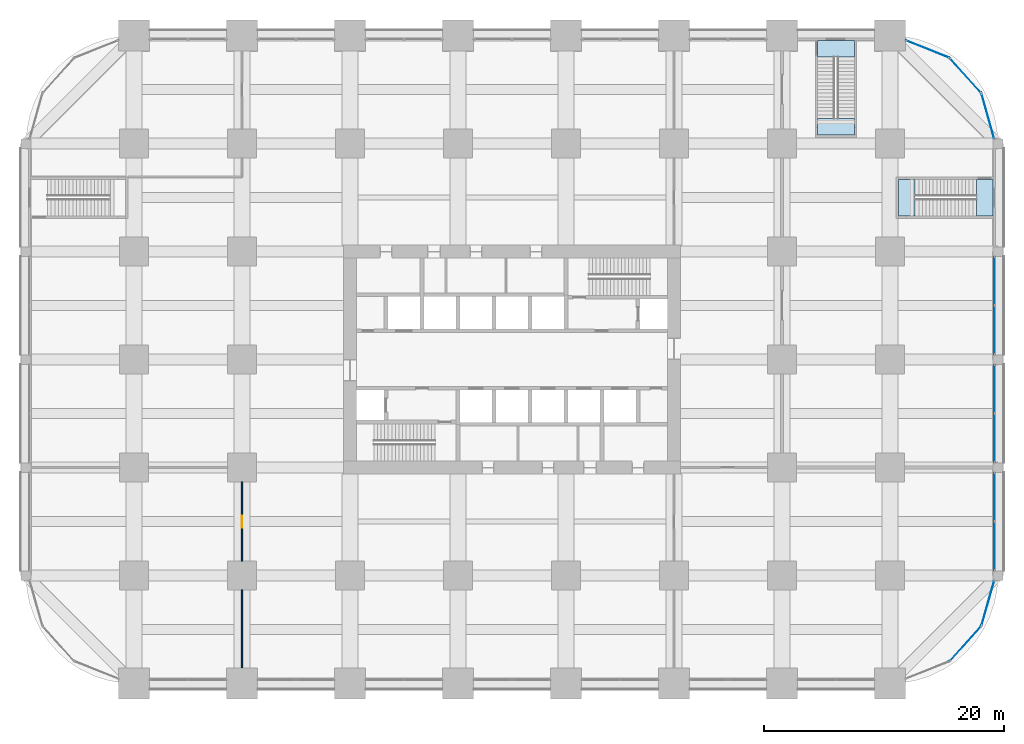
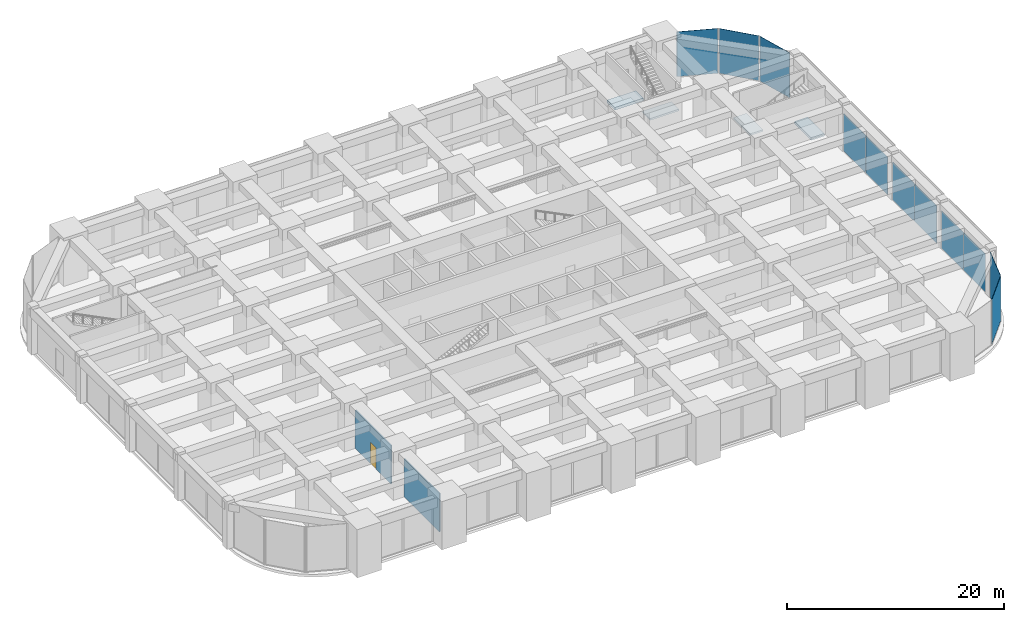
# One storey, part 41 of 45: 11 plates, 4 slabs, 2 walls, 1 door, 1 opening, 10 elements without a shape of their own.
"""IFC4 building model written with IfcOpenShell, lengths in metres."""

import ifcopenshell
import ifcopenshell.guid

model = None  # the IFC model being written
_history = None  # IfcOwnerHistory: only IFC2X3 demands one
_inside = {}  # id of a spatial element -> (the spatial element, [elements in it])
_under = {}  # id of a project, library or spatial element -> (it, [spatial elements below it])
_declared = {}  # id of a project -> (the project, [libraries it declares])
_typed = {}  # id of a type object -> (the type object, [elements of that type])
_made_of = {}  # id of a material, layer set ... -> (it, [elements and type objects made of it])


def new_model(schema):
    """Start an empty IFC model of exactly this schema.

    Asked for "IFC4X3", IfcOpenShell would pick the latest addendum, in which some entities
    have other attributes; the version numbers below select the first issue.
    IFC2X3 requires an IfcOwnerHistory on every rooted entity: one is made here for all.
    """
    global model, _history
    if schema == "IFC4X3":
        model = ifcopenshell.file(schema_version=(4, 3, 0, 0))
    else:
        model = ifcopenshell.file(schema=schema)
    _inside.clear()
    _under.clear()
    _declared.clear()
    _typed.clear()
    _made_of.clear()
    _history = None
    if model.schema == "IFC2X3":
        org = make("IfcOrganization", Name="unknown")
        user = make(
            "IfcPersonAndOrganization",
            ThePerson=make("IfcPerson", FamilyName="unknown"),
            TheOrganization=org,
        )
        app = make(
            "IfcApplication",
            ApplicationDeveloper=org,
            Version="unknown",
            ApplicationFullName="unknown",
            ApplicationIdentifier="unknown",
        )
        _history = make(
            "IfcOwnerHistory",
            OwningUser=user,
            OwningApplication=app,
            ChangeAction="ADDED",
            CreationDate=0,
        )
    return model


def make(cls, **values):
    """One entity of the class cls with the attributes given. An attribute that is None is left unset."""
    return model.create_entity(
        cls, **{name: value for name, value in values.items() if value is not None}
    )


def rooted(cls, **values):
    """An entity with a GlobalId (a new one), such as an element, a storey or a relation."""
    return make(cls, GlobalId=ifcopenshell.guid.new(), OwnerHistory=_history, **values)


def si_unit(unit_type, name, prefix=None):
    """IfcSIUnit, for example si_unit("LENGTHUNIT", "METRE", prefix="MILLI")."""
    return make("IfcSIUnit", UnitType=unit_type, Prefix=prefix, Name=name)


def assignment(units):
    """IfcUnitAssignment: the units of a project."""
    return None if units is None else make("IfcUnitAssignment", Units=units)


def point(xyz):
    """IfcCartesianPoint."""
    return None if xyz is None else make("IfcCartesianPoint", Coordinates=xyz)


def direction(xyz):
    """IfcDirection."""
    return None if xyz is None else make("IfcDirection", DirectionRatios=xyz)


def frame(location, z_axis=None, x_axis=None):
    """IfcAxis2Placement3D, a coordinate frame: its origin and axes. An axis left out is left unset."""
    return make(
        "IfcAxis2Placement3D",
        Location=point(location),
        Axis=direction(z_axis),
        RefDirection=direction(x_axis),
    )


def frame_2d(location, x_axis=None):
    """IfcAxis2Placement2D, a coordinate frame in the plane: its origin and x axis."""
    return make(
        "IfcAxis2Placement2D", Location=point(location), RefDirection=direction(x_axis)
    )


def origin():
    """The frame at (0, 0, 0) with its axes left unset."""
    return frame((0.0, 0.0, 0.0))


def origin_2d():
    """The frame at (0, 0) in the plane with its x axis left unset."""
    return frame_2d((0.0, 0.0))


def place(relative_to, where):
    """IfcLocalPlacement: puts the frame where relative to a parent placement (None: the world)."""
    return make(
        "IfcLocalPlacement", PlacementRelTo=relative_to, RelativePlacement=where
    )


def context(
    kind, dimensions, precision=None, world=None, true_north=None, identifier=None
):
    """IfcGeometricRepresentationContext, for example the 3D "Model" context."""
    return make(
        "IfcGeometricRepresentationContext",
        ContextIdentifier=identifier,
        ContextType=kind,
        CoordinateSpaceDimension=dimensions,
        Precision=precision,
        WorldCoordinateSystem=world,
        TrueNorth=true_north,
    )


def subcontext(parent, identifier, kind, view, scale=None):
    """IfcGeometricRepresentationSubContext, for example "Body" below "Model"."""
    return make(
        "IfcGeometricRepresentationSubContext",
        ContextIdentifier=identifier,
        ContextType=kind,
        ParentContext=parent,
        TargetScale=scale,
        TargetView=view,
    )


def project(units=None, contexts=None):
    """IfcProject with its units and contexts."""
    return rooted(
        "IfcProject",
        Name="project",
        RepresentationContexts=contexts,
        UnitsInContext=assignment(units),
    )


def spatial(cls, under=None, at=None, **own):
    """A site, building, storey or space (cls), placed at a placement, below another one or the project."""
    s = rooted(cls, ObjectPlacement=at, **own)
    if under is not None:
        _under.setdefault(under.id(), (under, []))[1].append(s)
    return s


def polyline(points):
    """IfcPolyline through the points."""
    return make("IfcPolyline", Points=[point(p) for p in points])


def profile(cls, at=None, kind="AREA", **sizes):
    """A parametric profile (cls). Its sizes go by their IFC names, for example OverallWidth=200.0."""
    return make(cls, ProfileType=kind, Position=at, **sizes)


def rectangle(**sizes):
    """IfcRectangleProfileDef."""
    return profile("IfcRectangleProfileDef", **sizes)


def outline(outer, holes=None, kind="AREA"):
    """IfcArbitraryClosedProfileDef: a profile drawn as a closed curve; with holes, ...WithVoids."""
    if holes is None:
        return make("IfcArbitraryClosedProfileDef", ProfileType=kind, OuterCurve=outer)
    return make(
        "IfcArbitraryProfileDefWithVoids",
        ProfileType=kind,
        OuterCurve=outer,
        InnerCurves=holes,
    )


def extrude(swept, where, along, depth):
    """IfcExtrudedAreaSolid: the profile swept, set in the frame where, extruded along a direction by depth."""
    return make(
        "IfcExtrudedAreaSolid",
        SweptArea=swept,
        Position=where,
        ExtrudedDirection=direction(along),
        Depth=depth,
    )


def shape(context_of_items, identifier, shape_type, items):
    """IfcShapeRepresentation: the items that make up one representation, for example the "Body"."""
    return make(
        "IfcShapeRepresentation",
        ContextOfItems=context_of_items,
        RepresentationIdentifier=identifier,
        RepresentationType=shape_type,
        Items=items,
    )


def material(Name=None, Category=None):
    """IfcMaterial."""
    return make("IfcMaterial", Name=Name, Category=Category)


def layer(
    of_material, thickness, ventilated=None, Name=None, Category=None, Priority=None
):
    """IfcMaterialLayer: one layer of a wall or slab, of a material (None: an air gap)."""
    return make(
        "IfcMaterialLayer",
        Material=of_material,
        LayerThickness=thickness,
        IsVentilated=ventilated,
        Name=Name,
        Category=Category,
        Priority=Priority,
    )


def layer_set(layers, Name=None):
    """IfcMaterialLayerSet."""
    return make("IfcMaterialLayerSet", MaterialLayers=layers, LayerSetName=Name)


def made_of(thing, what):
    """Note that an element or type object is made of a material, layer set ...; save() writes the relation."""
    if what is not None:
        _made_of.setdefault(what.id(), (what, []))[1].append(thing)
    return thing


def type_object(cls, material=None, **own):
    """A type object (cls), such as IfcWallType, which elements share."""
    return made_of(rooted(cls, **own), material)


def element(
    cls,
    number,
    at=None,
    inside=None,
    cuts=None,
    type_object=None,
    material=None,
    context=None,
    identifier="Body",
    shape_type=None,
    held_by="IfcProductDefinitionShape",
    body=None,
    shapes=None,
    **own,
):
    """One element of the class cls, such as IfcWall. Its Tag is "e" and its number.

    at: its placement. inside: the storey or other place that contains it. cuts: it is an
    opening in that element (IfcRelVoidsElement). A single representation is given by context,
    identifier, shape_type and body (its items); several are given by shapes. held_by: the class
    of the entity that holds the representations. save() writes the other relations.
    """
    e = rooted(cls, Tag="e%d" % number, ObjectPlacement=at, **own)
    if body is not None:
        shapes = [shape(context, identifier, shape_type, body)]
    if shapes is not None:
        e.Representation = make(held_by, Representations=shapes)
    if inside is not None:
        _inside.setdefault(inside.id(), (inside, []))[1].append(e)
    if cuts is not None:
        rooted(
            "IfcRelVoidsElement", RelatingBuildingElement=cuts, RelatedOpeningElement=e
        )
    if type_object is not None:
        _typed.setdefault(type_object.id(), (type_object, []))[1].append(e)
    return made_of(e, material)


def fill(opening, filler):
    """IfcRelFillsElement: the door or window that sits in an opening."""
    return rooted(
        "IfcRelFillsElement",
        RelatingOpeningElement=opening,
        RelatedBuildingElement=filler,
    )


def aggregate(whole, parts):
    """IfcRelAggregates: a whole, such as a stair, and the parts it consists of."""
    return rooted("IfcRelAggregates", RelatingObject=whole, RelatedObjects=parts)


def save(model, path):
    """Write the relations noted so far, then the file.

    IfcRelAggregates (storeys below a building ...), IfcRelContainedInSpatialStructure (elements
    in a storey), IfcRelDefinesByType, IfcRelAssociatesMaterial and IfcRelDeclares: one each for
    every whole, place, type object, material and project.
    """
    for whole, parts in _under.values():
        aggregate(whole, parts)
    for where, things in _inside.values():
        rooted(
            "IfcRelContainedInSpatialStructure",
            RelatedElements=things,
            RelatingStructure=where,
        )
    for kind, things in _typed.values():
        rooted("IfcRelDefinesByType", RelatedObjects=things, RelatingType=kind)
    for what, things in _made_of.values():
        rooted("IfcRelAssociatesMaterial", RelatedObjects=things, RelatingMaterial=what)
    for by, libraries in _declared.values():
        rooted("IfcRelDeclares", RelatingContext=by, RelatedDefinitions=libraries)
    model.write(path)


model = new_model("IFC4")

# Units and contexts
model_context = context("Model", 3, precision=1e-05, world=origin(), true_north=direction((0.0, 1.0)))
body_context = subcontext(model_context, "Body", "Model", "MODEL_VIEW")
ifc_project = project(units=[si_unit("LENGTHUNIT", "METRE"), si_unit("AREAUNIT", "SQUARE_METRE"), si_unit("VOLUMEUNIT", "CUBIC_METRE"), si_unit("PLANEANGLEUNIT", "RADIAN"), si_unit("MASSUNIT", "GRAM", prefix="KILO")], contexts=[model_context])

# Site, building, storey
site_placement = place(None, origin())
site = spatial("IfcSite", under=ifc_project, at=site_placement, CompositionType="ELEMENT")
building_placement = place(site_placement, origin())
building = spatial("IfcBuilding", under=site, at=building_placement, Name="Zorevar Civic Tower", CompositionType="ELEMENT")
storey_placement = place(building_placement, frame((0.0, 0.0, 5.39990234375)))
storey = spatial("IfcBuildingStorey", under=building, at=storey_placement, Name="L01", CompositionType="ELEMENT", Elevation=5.39990234375)

# Curtain wall, plates
ifc_material_1 = material(Name="Dark grey solar-control glass in black aluminium frame", Category="aluminium")
curtain_wall_type = type_object("IfcCurtainWallType", Name="Curtain wall CW1 podium", PredefinedType="NOTDEFINED", material=ifc_material_1)
curtain_wall_1_placement = place(storey_placement, origin())
curtain_wall_1 = element("IfcCurtainWall", 1, at=curtain_wall_1_placement, inside=storey, type_object=curtain_wall_type, Name="CW1 L01", PredefinedType="NOTDEFINED")
ifc_material_2 = material(Name="Dark grey solar-control glass", Category="glass")
ifc_layer_1 = layer(ifc_material_2, 0.033935546875)
ifc_layer_set_1 = layer_set([ifc_layer_1], Name="CW1 panel 34")
plate_type = type_object("IfcPlateType", Name="CW1 panel 34", PredefinedType="CURTAIN_PANEL", material=ifc_layer_set_1)
plate_1_placement = place(storey_placement, frame((71.699951171875, 11.465087890625, 0.06005859375), z_axis=(0.0, 0.0, 1.0), x_axis=(0.0, 1.0, 0.0)))
plate_1 = element("IfcPlate", 2, at=plate_1_placement, type_object=plate_type, Name="CW1 panel 1.1", PredefinedType="CURTAIN_PANEL", context=body_context, shape_type="SweptSolid", body=[
    extrude(rectangle(XDim=4.010009765625, YDim=0.033935546875, at=origin_2d()), origin(), (0.0, 0.0, 1.0), 4.239990234375),
])
plate_2_placement = place(storey_placement, frame((71.699951171875, 15.534912109375, 0.06005859375), z_axis=(0.0, 0.0, 1.0), x_axis=(0.0, 1.0, 0.0)))
plate_2 = element("IfcPlate", 3, at=plate_2_placement, type_object=plate_type, Name="CW1 panel 2.1", PredefinedType="CURTAIN_PANEL", context=body_context, shape_type="SweptSolid", body=[
    extrude(rectangle(XDim=4.010009765625, YDim=0.033935546875, at=origin_2d()), origin(), (0.0, 0.0, 1.0), 4.239990234375),
])
aggregate(curtain_wall_1, [plate_1, plate_2])

curtain_wall_2_placement = place(storey_placement, origin())
curtain_wall_2 = element("IfcCurtainWall", 4, at=curtain_wall_2_placement, inside=storey, type_object=curtain_wall_type, Name="CW1 L01", PredefinedType="NOTDEFINED")
plate_3_placement = place(storey_placement, frame((71.699951171875, 20.465087890625, 0.06005859375), z_axis=(0.0, 0.0, 1.0), x_axis=(0.0, 1.0, 0.0)))
plate_3 = element("IfcPlate", 5, at=plate_3_placement, type_object=plate_type, Name="CW1 panel 1.1", PredefinedType="CURTAIN_PANEL", context=body_context, shape_type="SweptSolid", body=[
    extrude(rectangle(XDim=4.010009765625, YDim=0.033935546875, at=origin_2d()), origin(), (0.0, 0.0, 1.0), 4.239990234375),
])
plate_4_placement = place(storey_placement, frame((71.699951171875, 24.534912109375, 0.06005859375), z_axis=(0.0, 0.0, 1.0), x_axis=(0.0, 1.0, 0.0)))
plate_4 = element("IfcPlate", 6, at=plate_4_placement, type_object=plate_type, Name="CW1 panel 2.1", PredefinedType="CURTAIN_PANEL", context=body_context, shape_type="SweptSolid", body=[
    extrude(rectangle(XDim=4.010009765625, YDim=0.033935546875, at=origin_2d()), origin(), (0.0, 0.0, 1.0), 4.239990234375),
])
aggregate(curtain_wall_2, [plate_3, plate_4])

curtain_wall_3_placement = place(storey_placement, origin())
curtain_wall_3 = element("IfcCurtainWall", 7, at=curtain_wall_3_placement, inside=storey, type_object=curtain_wall_type, Name="CW1 L01", PredefinedType="NOTDEFINED")
plate_5_placement = place(storey_placement, frame((71.699951171875, 29.465087890625, 0.06005859375), z_axis=(0.0, 0.0, 1.0), x_axis=(0.0, 1.0, 0.0)))
plate_5 = element("IfcPlate", 8, at=plate_5_placement, type_object=plate_type, Name="CW1 panel 1.1", PredefinedType="CURTAIN_PANEL", context=body_context, shape_type="SweptSolid", body=[
    extrude(rectangle(XDim=4.010009765625, YDim=0.033935546875, at=origin_2d()), origin(), (0.0, 0.0, 1.0), 4.239990234375),
])
plate_6_placement = place(storey_placement, frame((71.699951171875, 33.534912109375, 0.06005859375), z_axis=(0.0, 0.0, 1.0), x_axis=(0.0, 1.0, 0.0)))
plate_6 = element("IfcPlate", 9, at=plate_6_placement, type_object=plate_type, Name="CW1 panel 2.1", PredefinedType="CURTAIN_PANEL", context=body_context, shape_type="SweptSolid", body=[
    extrude(rectangle(XDim=4.010009765625, YDim=0.033935546875, at=origin_2d()), origin(), (0.0, 0.0, 1.0), 4.239990234375),
])
aggregate(curtain_wall_3, [plate_5, plate_6])

# Curtain wall, plate
curtain_wall_4_placement = place(storey_placement, origin())
curtain_wall_4 = element("IfcCurtainWall", 10, at=curtain_wall_4_placement, inside=storey, type_object=curtain_wall_type, Name="CW1 L01", PredefinedType="NOTDEFINED")
plate_7_placement = place(storey_placement, frame((69.294189453125, 3.328369140625, 0.06005859375), z_axis=(0.0, 0.0, 1.0), x_axis=(0.669402758568, 0.742899688263, 0.0)))
plate_7 = element("IfcPlate", 11, at=plate_7_placement, type_object=plate_type, Name="CW1 panel 1.1", PredefinedType="CURTAIN_PANEL", context=body_context, shape_type="SweptSolid", body=[
    extrude(rectangle(XDim=3.83203125, YDim=0.033935546875, at=origin_2d()), origin(), (0.0, 0.0, 1.0), 5.0400390625),
])
aggregate(curtain_wall_4, [plate_7])

curtain_wall_5_placement = place(storey_placement, origin())
curtain_wall_5 = element("IfcCurtainWall", 12, at=curtain_wall_5_placement, inside=storey, type_object=curtain_wall_type, Name="CW1 L01", PredefinedType="NOTDEFINED")
plate_8_placement = place(storey_placement, frame((71.15380859375, 6.6982421875, 0.06005859375), z_axis=(0.0, 0.0, 1.0), x_axis=(0.271669082929, 0.962390725943, 0.0)))
plate_8 = element("IfcPlate", 13, at=plate_8_placement, type_object=plate_type, Name="CW1 panel 1.1", PredefinedType="CURTAIN_PANEL", context=body_context, shape_type="SweptSolid", body=[
    extrude(rectangle(XDim=3.83203125, YDim=0.033935546875, at=origin_2d()), origin(), (0.0, 0.0, 1.0), 5.0400390625),
])
aggregate(curtain_wall_5, [plate_8])

curtain_wall_6_placement = place(storey_placement, origin())
curtain_wall_6 = element("IfcCurtainWall", 14, at=curtain_wall_6_placement, inside=storey, type_object=curtain_wall_type, Name="CW1 L01", PredefinedType="NOTDEFINED")
plate_9_placement = place(storey_placement, frame((71.15380859375, 47.3017578125, 0.06005859375), z_axis=(0.0, 0.0, 1.0), x_axis=(-0.271669082929, 0.962390725943, 0.0)))
plate_9 = element("IfcPlate", 15, at=plate_9_placement, type_object=plate_type, Name="CW1 panel 1.1", PredefinedType="CURTAIN_PANEL", context=body_context, shape_type="SweptSolid", body=[
    extrude(rectangle(XDim=3.83203125, YDim=0.033935546875, at=origin_2d()), origin(), (0.0, 0.0, 1.0), 5.0400390625),
])
aggregate(curtain_wall_6, [plate_9])

curtain_wall_7_placement = place(storey_placement, origin())
curtain_wall_7 = element("IfcCurtainWall", 16, at=curtain_wall_7_placement, inside=storey, type_object=curtain_wall_type, Name="CW1 L01", PredefinedType="NOTDEFINED")
plate_10_placement = place(storey_placement, frame((69.294189453125, 50.671630859375, 0.06005859375), z_axis=(0.0, 0.0, 1.0), x_axis=(-0.669402758568, 0.742899688263, 0.0)))
plate_10 = element("IfcPlate", 17, at=plate_10_placement, type_object=plate_type, Name="CW1 panel 1.1", PredefinedType="CURTAIN_PANEL", context=body_context, shape_type="SweptSolid", body=[
    extrude(rectangle(XDim=3.83203125, YDim=0.033935546875, at=origin_2d()), origin(), (0.0, 0.0, 1.0), 5.0400390625),
])
aggregate(curtain_wall_7, [plate_10])

curtain_wall_8_placement = place(storey_placement, origin())
curtain_wall_8 = element("IfcCurtainWall", 18, at=curtain_wall_8_placement, inside=storey, type_object=curtain_wall_type, Name="CW1 L01", PredefinedType="NOTDEFINED")
plate_11_placement = place(storey_placement, frame((66.1357421875, 52.870849609375, 0.06005859375), z_axis=(0.0, 0.0, 1.0), x_axis=(-0.928987553289, 0.370110964218, 0.0)))
plate_11 = element("IfcPlate", 19, at=plate_11_placement, type_object=plate_type, Name="CW1 panel 1.1", PredefinedType="CURTAIN_PANEL", context=body_context, shape_type="SweptSolid", body=[
    extrude(rectangle(XDim=3.83203125, YDim=0.033935546875, at=origin_2d()), origin(), (0.0, 0.0, 1.0), 5.0400390625),
])
aggregate(curtain_wall_8, [plate_11])

# Stair, slab
ifc_material_3 = material(Name="Precast concrete C40/50", Category="concrete")
stair_type = type_object("IfcStairType", Name="Escape stair PS 36R", PredefinedType="HALF_TURN_STAIR", material=ifc_material_3)
stair_1_placement = place(storey_placement, origin())
stair_1 = element("IfcStair", 20, at=stair_1_placement, inside=storey, type_object=stair_type, Name="Escape stair PS2 L01", PredefinedType="HALF_TURN_STAIR")
ifc_material_4 = material(Name="Concrete C40/50", Category="concrete")
ifc_layer_2 = layer(ifc_material_4, 0.199951171875)
ifc_layer_set_2 = layer_set([ifc_layer_2], Name="Stair landing 200")
slab_type_1 = type_object("IfcSlabType", Name="Stair landing 200", PredefinedType="LANDING", material=ifc_layer_set_2)
slab_1_placement = place(storey_placement, frame((0.0, 0.0, 2.5)))
slab_1 = element("IfcSlab", 21, at=slab_1_placement, type_object=slab_type_1, Name="PS2 landing 1", PredefinedType="LANDING", context=body_context, shape_type="SweptSolid", body=[
    extrude(outline(polyline([(63.699951171875, 38.97509765625), (65.10009765625, 38.97509765625), (65.10009765625, 42.02490234375), (63.699951171875, 42.02490234375), (63.699951171875, 38.97509765625)])), origin(), (0.0, 0.0, 1.0), 0.2001953125),
])
aggregate(stair_1, [slab_1])

stair_2_placement = place(storey_placement, origin())
stair_2 = element("IfcStair", 22, at=stair_2_placement, inside=storey, type_object=stair_type, Name="Escape stair PS3 L01", PredefinedType="HALF_TURN_STAIR")
slab_2_placement = place(storey_placement, frame((0.0, 0.0, 2.5)))
slab_2 = element("IfcSlab", 23, at=slab_2_placement, type_object=slab_type_1, Name="PS3 landing 1", PredefinedType="LANDING", context=body_context, shape_type="SweptSolid", body=[
    extrude(outline(polyline([(56.97509765625, 45.699951171875), (60.02490234375, 45.699951171875), (60.02490234375, 47.10009765625), (56.97509765625, 47.10009765625), (56.97509765625, 45.699951171875)])), origin(), (0.0, 0.0, 1.0), 0.2001953125),
])
aggregate(stair_2, [slab_2])

# Slabs
ifc_material_5 = material(Name="Concrete C40/50", Category="concrete")
ifc_layer_3 = layer(ifc_material_5, 0.300048828125)
ifc_layer_set_3 = layer_set([ifc_layer_3], Name="Stair landing 300")
slab_type_2 = type_object("IfcSlabType", Name="Stair landing 300", PredefinedType="LANDING", material=ifc_layer_set_3)
slab_3_placement = place(storey_placement, frame((0.0, 0.0, -0.2998046875)))
element("IfcSlab", 24, at=slab_3_placement, inside=storey, type_object=slab_type_2, Name="Stair PS2 floor landing L01", PredefinedType="LANDING", context=body_context, shape_type="SweptSolid", body=[
    extrude(outline(polyline([(70.199951171875, 38.97509765625), (71.60009765625, 38.97509765625), (71.60009765625, 42.02490234375), (70.199951171875, 42.02490234375), (70.199951171875, 38.97509765625)])), origin(), (0.0, 0.0, 1.0), 0.2998046875),
])
slab_4_placement = place(storey_placement, frame((0.0, 0.0, -0.2998046875)))
element("IfcSlab", 25, at=slab_4_placement, inside=storey, type_object=slab_type_2, Name="Stair PS3 floor landing L01", PredefinedType="LANDING", context=body_context, shape_type="SweptSolid", body=[
    extrude(outline(polyline([(56.97509765625, 52.199951171875), (60.02490234375, 52.199951171875), (60.02490234375, 53.60009765625), (56.97509765625, 53.60009765625), (56.97509765625, 52.199951171875)])), origin(), (0.0, 0.0, 1.0), 0.2998046875),
])

# Wall
ifc_material_6 = material(Name="Gypsum board on steel studs", Category="steel")
ifc_layer_4 = layer(ifc_material_6, 0.1201171875)
ifc_layer_set_4 = layer_set([ifc_layer_4], Name="Partition 120")
wall_type = type_object("IfcWallType", Name="Partition 120", PredefinedType="PARTITIONING", material=ifc_layer_set_4)
wall_1_placement = place(storey_placement, frame((9.0, 1.300048828125, 0.0), z_axis=(0.0, 0.0, 1.0), x_axis=(0.0, 1.0, 0.0)))
element("IfcWall", 26, at=wall_1_placement, inside=storey, type_object=wall_type, Name="Partition 120 L01", PredefinedType="PARTITIONING", context=body_context, shape_type="SweptSolid", body=[
    extrude(rectangle(XDim=6.5, YDim=0.1201171875, at=frame_2d((3.25, 0.0))), origin(), (0.0, 0.0, 1.0), 4.300048828125),
])

# Wall, opening, door
wall_2_placement = place(storey_placement, frame((9.0, 10.199951171875, 0.0), z_axis=(0.0, 0.0, 1.0), x_axis=(0.0, 1.0, 0.0)))
wall_2 = element("IfcWall", 27, at=wall_2_placement, inside=storey, type_object=wall_type, Name="Partition 120 L01", PredefinedType="PARTITIONING", context=body_context, shape_type="SweptSolid", body=[
    extrude(rectangle(XDim=6.60009765625, YDim=0.1201171875, at=frame_2d((3.300048828125, 0.0))), origin(), (0.0, 0.0, 1.0), 4.300048828125),
])
opening_placement = place(wall_2_placement, frame((2.800048828125, 0.0, 0.0)))
opening = element("IfcOpeningElement", 28, at=opening_placement, cuts=wall_2, Name="Opening L01.23", PredefinedType="OPENING", context=body_context, shape_type="SweptSolid", body=[
    extrude(rectangle(XDim=1.0, YDim=2.39990234375, at=frame_2d((0.5, 1.199951171875))), frame((0.0, 0.070068359375, 0.0), z_axis=(0.0, -1.0, 0.0), x_axis=(1.0, 0.0, 0.0)), (0.0, 0.0, 1.0), 0.14013671875),
])
ifc_material_7 = material(Name="Timber door set", Category="wood")
door_type = type_object("IfcDoorType", Name="Door D1 1000x2400", OperationType="SINGLE_SWING_LEFT", PredefinedType="DOOR", material=ifc_material_7)
door_placement = place(opening_placement, origin())
door = element("IfcDoor", 29, at=door_placement, inside=storey, type_object=door_type, Name="Door L01 D4", OperationType="SINGLE_SWING_LEFT", OverallHeight=2.39990234375, OverallWidth=1.0, PredefinedType="DOOR", context=body_context, shape_type="SweptSolid", body=[
    extrude(rectangle(XDim=1.0, YDim=2.39990234375, at=frame_2d((0.5, 1.199951171875))), frame((0.0, 0.02490234375, 0.0), z_axis=(0.0, -1.0, 0.0), x_axis=(1.0, 0.0, 0.0)), (0.0, 0.0, 1.0), 0.050048828125),
])
fill(opening, door)

save(model, "model.ifc")
